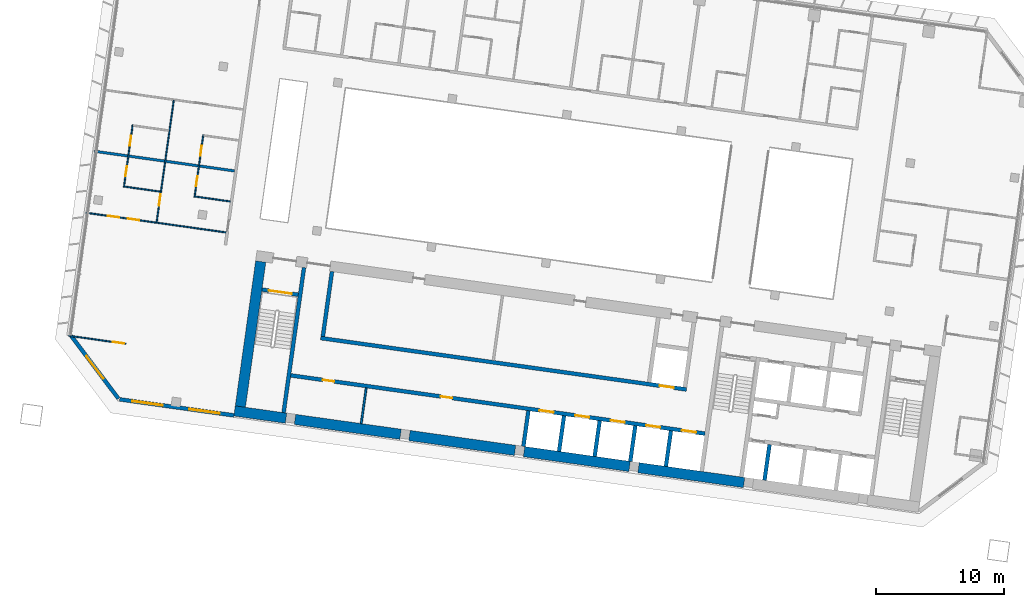
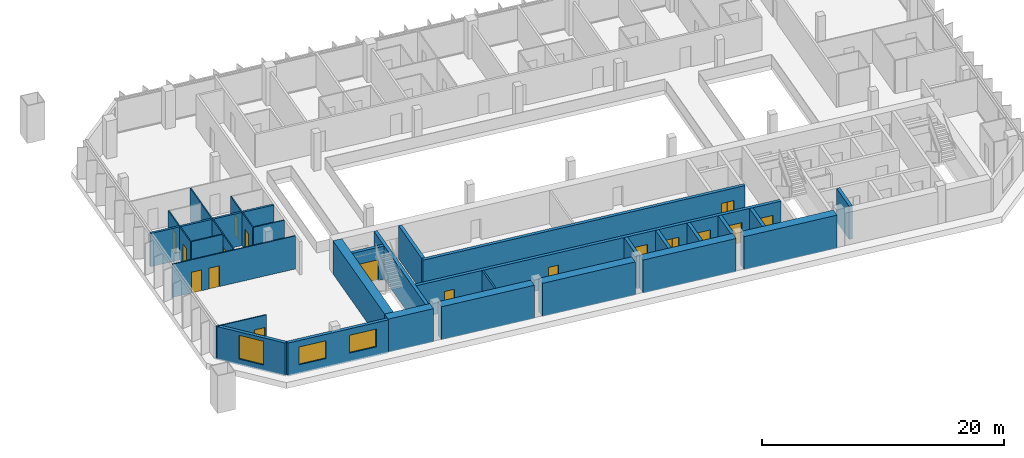
# One storey, part 14 of 24: 28 walls, 17 doors, 3 windows, 20 openings.
"""IFC4 building model written with IfcOpenShell, lengths in metres."""

from ifc_helpers import new_model, si_unit, direction, frame, frame_2d, origin, place, context, subcontext, project, spatial, rectangle, extrude, material, layer, layer_set, type_object, element, fill, save


model = new_model("IFC4")

# Units and contexts
model_context = context("Model", 3, precision=1e-05, world=origin(), true_north=direction((0.0, 1.0)))
body_context = subcontext(model_context, "Body", "Model", "MODEL_VIEW")
ifc_project = project(units=[si_unit("LENGTHUNIT", "METRE"), si_unit("AREAUNIT", "SQUARE_METRE"), si_unit("VOLUMEUNIT", "CUBIC_METRE"), si_unit("PLANEANGLEUNIT", "RADIAN"), si_unit("MASSUNIT", "GRAM", prefix="KILO")], contexts=[model_context])

# Site, building, storey
site_placement = place(None, origin())
site = spatial("IfcSite", under=ifc_project, at=site_placement, CompositionType="ELEMENT")
building_placement = place(site_placement, origin())
building = spatial("IfcBuilding", under=site, at=building_placement, Name="Mirante Cascada Hotel Towers", CompositionType="ELEMENT")
storey_placement = place(building_placement, frame((0.0, 0.0, 110.1)))
storey = spatial("IfcBuildingStorey", under=building, at=storey_placement, Name="L24", CompositionType="ELEMENT", Elevation=110.1)

# Walls
ifc_material_1 = material(Name="Fire-rated plasterboard on metal studs")
ifc_layer_1 = layer(ifc_material_1, 0.2)
ifc_layer_set_1 = layer_set([ifc_layer_1], Name="Compartment wall 200 EI 120")
wall_type_1 = type_object("IfcWallType", Name="Compartment wall 200 EI 120", PredefinedType="PARTITIONING", material=ifc_layer_set_1)
wall_1_placement = place(storey_placement, frame((-90.4064, 6.4896, 0.0), z_axis=(0.0, 0.0, 1.0), x_axis=(-0.990268, 0.1391733, 0.0)))
element("IfcWall", 1, at=wall_1_placement, inside=storey, type_object=wall_type_1, Name="Wall 1-L24-11", PredefinedType="PARTITIONING", context=body_context, shape_type="SweptSolid", body=[
    extrude(rectangle(XDim=11.0, YDim=0.2, at=frame_2d((5.5, 0.0))), origin(), (0.0, 0.0, 1.0), 3.35),
])
ifc_material_2 = material(Name="Masonry block", Category="masonry")
ifc_layer_2 = layer(ifc_material_2, 0.15)
ifc_layer_set_2 = layer_set([ifc_layer_2], Name="Core room partition 150 block EI 30")
wall_type_2 = type_object("IfcWallType", Name="Core room partition 150 block EI 30", PredefinedType="PARTITIONING", material=ifc_layer_set_2)
wall_2_placement = place(storey_placement, frame((-80.547, -13.174, 0.0), z_axis=(0.0, 0.0, 1.0), x_axis=(0.139176, 0.9902677, 0.0)))
element("IfcWall", 2, at=wall_2_placement, inside=storey, type_object=wall_type_2, Name="Core wall partition T1 L24 4", PredefinedType="PARTITIONING", context=body_context, shape_type="SweptSolid", body=[
    extrude(rectangle(XDim=2.8001, YDim=0.15, at=frame_2d((1.4, 0.0))), origin(), (0.0, 0.0, 1.0), 3.35),
])

# Wall, opening, door
ifc_material_3 = material(Name="Plasterboard on metal studs")
ifc_layer_3 = layer(ifc_material_3, 0.1)
ifc_layer_set_3 = layer_set([ifc_layer_3], Name="Partition 100")
wall_type_3 = type_object("IfcWallType", Name="Partition 100", PredefinedType="PARTITIONING", material=ifc_layer_set_3)
wall_3_placement = place(storey_placement, frame((-98.8611, -6.9647, 0.0), z_axis=(0.0, 0.0, 1.0), x_axis=(-0.9902674, 0.1391779, 0.0)))
wall_3 = element("IfcWall", 3, at=wall_3_placement, inside=storey, type_object=wall_type_3, Name="Wall 1-L24-01", PredefinedType="PARTITIONING", context=body_context, shape_type="SweptSolid", body=[
    extrude(rectangle(XDim=4.5, YDim=0.1, at=frame_2d((2.25, 0.0))), origin(), (0.0, 0.0, 1.0), 3.35),
])
opening_1_placement = place(wall_3_placement, frame((0.15, 0.0, 0.0)))
opening_1 = element("IfcOpeningElement", 4, at=opening_1_placement, cuts=wall_3, Name="Opening D1-L24-01", PredefinedType="OPENING", context=body_context, shape_type="SweptSolid", body=[
    extrude(rectangle(XDim=0.9, YDim=2.1, at=frame_2d((0.45, 1.05))), frame((0.0, 0.05, 0.0), z_axis=(0.0, -1.0, 0.0), x_axis=(1.0, 0.0, 0.0)), (0.0, 0.0, 1.0), 0.1),
])
ifc_material_4 = material(Name="Timber door leaf", Category="wood")
door_type_1 = type_object("IfcDoorType", Name="Room door DG3 900x2100", OperationType="SINGLE_SWING_LEFT", PredefinedType="DOOR", material=ifc_material_4)
door_1_placement = place(opening_1_placement, frame((0.9, 0.0, 0.0), z_axis=(0.0, 0.0, 1.0), x_axis=(-1.0, 0.0, 0.0)))
door_1 = element("IfcDoor", 5, at=door_1_placement, inside=storey, type_object=door_type_1, Name="Door D1-L24-01", OperationType="SINGLE_SWING_RIGHT", OverallHeight=2.1, OverallWidth=0.9, PredefinedType="DOOR", context=body_context, shape_type="SweptSolid", body=[
    extrude(rectangle(XDim=0.9, YDim=2.1, at=frame_2d((0.45, 1.05))), frame((0.0, 0.025, 0.0), z_axis=(0.0, -1.0, 0.0), x_axis=(1.0, 0.0, 0.0)), (0.0, 0.0, 1.0), 0.05),
])
fill(opening_1, door_1)

# Wall, openings, doors
wall_4_placement = place(storey_placement, frame((-91.079, 1.7033, 0.0), z_axis=(0.0, 0.0, 1.0), x_axis=(-0.9902682, 0.1391721, 0.0)))
wall_4 = element("IfcWall", 6, at=wall_4_placement, inside=storey, type_object=wall_type_3, Name="Wall 1-L24-05", PredefinedType="PARTITIONING", context=body_context, shape_type="SweptSolid", body=[
    extrude(rectangle(XDim=11.0001, YDim=0.1, at=frame_2d((5.5, 0.0))), origin(), (0.0, 0.0, 1.0), 3.35),
])
opening_2_placement = place(wall_4_placement, frame((6.8, 0.0, 0.0)))
opening_2 = element("IfcOpeningElement", 7, at=opening_2_placement, cuts=wall_4, Name="Opening D1-L24-03", PredefinedType="OPENING", context=body_context, shape_type="SweptSolid", body=[
    extrude(rectangle(XDim=0.9, YDim=2.1, at=frame_2d((0.45, 1.05))), frame((0.0, 0.05, 0.0), z_axis=(0.0, -1.0, 0.0), x_axis=(1.0, 0.0, 0.0)), (0.0, 0.0, 1.0), 0.1),
])
opening_3_placement = place(wall_4_placement, frame((8.375, 0.0, 0.0)))
opening_3 = element("IfcOpeningElement", 8, at=opening_3_placement, cuts=wall_4, Name="Opening D1-L24-04", PredefinedType="OPENING", context=body_context, shape_type="SweptSolid", body=[
    extrude(rectangle(XDim=0.9, YDim=2.1, at=frame_2d((0.45, 1.05))), frame((0.0, 0.05, 0.0), z_axis=(0.0, -1.0, 0.0), x_axis=(1.0, 0.0, 0.0)), (0.0, 0.0, 1.0), 0.1),
])
door_2_placement = place(opening_2_placement, origin())
door_2 = element("IfcDoor", 9, at=door_2_placement, inside=storey, type_object=door_type_1, Name="Door D1-L24-03", OperationType="SINGLE_SWING_LEFT", OverallHeight=2.1, OverallWidth=0.9, PredefinedType="DOOR", context=body_context, shape_type="SweptSolid", body=[
    extrude(rectangle(XDim=0.9, YDim=2.1, at=frame_2d((0.45, 1.05))), frame((0.0, 0.025, 0.0), z_axis=(0.0, -1.0, 0.0), x_axis=(1.0, 0.0, 0.0)), (0.0, 0.0, 1.0), 0.05),
])
fill(opening_2, door_2)
door_3_placement = place(opening_3_placement, origin())
door_3 = element("IfcDoor", 10, at=door_3_placement, inside=storey, type_object=door_type_1, Name="Door D1-L24-04", OperationType="SINGLE_SWING_LEFT", OverallHeight=2.1, OverallWidth=0.9, PredefinedType="DOOR", context=body_context, shape_type="SweptSolid", body=[
    extrude(rectangle(XDim=0.9, YDim=2.1, at=frame_2d((0.45, 1.05))), frame((0.0, 0.025, 0.0), z_axis=(0.0, -1.0, 0.0), x_axis=(1.0, 0.0, 0.0)), (0.0, 0.0, 1.0), 0.05),
])
fill(opening_3, door_3)

# Walls
wall_5_placement = place(storey_placement, frame((-93.4636, 4.4956, 0.0), z_axis=(0.0, 0.0, 1.0), x_axis=(0.9902691, -0.1391657, 0.0)))
element("IfcWall", 11, at=wall_5_placement, inside=storey, type_object=wall_type_3, Name="Wall 1-L24-06", PredefinedType="PARTITIONING", context=body_context, shape_type="SweptSolid", body=[
    extrude(rectangle(XDim=2.75, YDim=0.1, at=frame_2d((1.375, 0.0))), origin(), (0.0, 0.0, 1.0), 3.35),
])
wall_6_placement = place(storey_placement, frame((-96.1868, 4.8784, 0.0), z_axis=(0.0, 0.0, 1.0), x_axis=(-0.9902677, 0.139176, 0.0)))
element("IfcWall", 12, at=wall_6_placement, inside=storey, type_object=wall_type_3, Name="Wall 1-L24-07", PredefinedType="PARTITIONING", context=body_context, shape_type="SweptSolid", body=[
    extrude(rectangle(XDim=2.8001, YDim=0.1, at=frame_2d((1.4, 0.0))), origin(), (0.0, 0.0, 1.0), 3.35),
])

# Wall, openings, doors
wall_7_placement = place(storey_placement, frame((-93.5201, 4.4531, 0.0), z_axis=(0.0, 0.0, 1.0), x_axis=(0.1391838, 0.9902666, 0.0)))
wall_7 = element("IfcWall", 13, at=wall_7_placement, inside=storey, type_object=wall_type_3, Name="Wall 1-L24-61", PredefinedType="PARTITIONING", context=body_context, shape_type="SweptSolid", body=[
    extrude(rectangle(XDim=4.9, YDim=0.1, at=frame_2d((2.45, 0.0))), origin(), (0.0, 0.0, 1.0), 3.35),
])
opening_4_placement = place(wall_7_placement, frame((0.85, 0.0, 0.0)))
opening_4 = element("IfcOpeningElement", 14, at=opening_4_placement, cuts=wall_7, Name="Opening D1-L24-39", PredefinedType="OPENING", context=body_context, shape_type="SweptSolid", body=[
    extrude(rectangle(XDim=0.8, YDim=2.1, at=frame_2d((0.4, 1.05))), frame((0.0, 0.05, 0.0), z_axis=(0.0, -1.0, 0.0), x_axis=(1.0, 0.0, 0.0)), (0.0, 0.0, 1.0), 0.1),
])
opening_5_placement = place(wall_7_placement, frame((3.25, 0.0, 0.0)))
opening_5 = element("IfcOpeningElement", 15, at=opening_5_placement, cuts=wall_7, Name="Opening D1-L24-40", PredefinedType="OPENING", context=body_context, shape_type="SweptSolid", body=[
    extrude(rectangle(XDim=0.8, YDim=2.1, at=frame_2d((0.4, 1.05))), frame((0.0, 0.05, 0.0), z_axis=(0.0, -1.0, 0.0), x_axis=(1.0, 0.0, 0.0)), (0.0, 0.0, 1.0), 0.1),
])
ifc_material_5 = material(Name="Timber door leaf", Category="wood")
door_type_2 = type_object("IfcDoorType", Name="Bathroom door DG4 800x2100", OperationType="SINGLE_SWING_LEFT", PredefinedType="DOOR", material=ifc_material_5)
door_4_placement = place(opening_4_placement, frame((0.8, 0.0, 0.0), z_axis=(0.0, 0.0, 1.0), x_axis=(-1.0, 0.0, 0.0)))
door_4 = element("IfcDoor", 16, at=door_4_placement, inside=storey, type_object=door_type_2, Name="Door D1-L24-39", OperationType="SINGLE_SWING_RIGHT", OverallHeight=2.1, OverallWidth=0.8, PredefinedType="DOOR", context=body_context, shape_type="SweptSolid", body=[
    extrude(rectangle(XDim=0.8, YDim=2.1, at=frame_2d((0.4, 1.05))), frame((0.0, 0.025, 0.0), z_axis=(0.0, -1.0, 0.0), x_axis=(1.0, 0.0, 0.0)), (0.0, 0.0, 1.0), 0.05),
])
fill(opening_4, door_4)
door_5_placement = place(opening_5_placement, frame((0.8, 0.0, 0.0), z_axis=(0.0, 0.0, 1.0), x_axis=(-1.0, 0.0, 0.0)))
door_5 = element("IfcDoor", 17, at=door_5_placement, inside=storey, type_object=door_type_2, Name="Door D1-L24-40", OperationType="SINGLE_SWING_RIGHT", OverallHeight=2.1, OverallWidth=0.8, PredefinedType="DOOR", context=body_context, shape_type="SweptSolid", body=[
    extrude(rectangle(XDim=0.8, YDim=2.1, at=frame_2d((0.4, 1.05))), frame((0.0, 0.025, 0.0), z_axis=(0.0, -1.0, 0.0), x_axis=(1.0, 0.0, 0.0)), (0.0, 0.0, 1.0), 0.05),
])
fill(opening_5, door_5)

# Wall, opening, door
wall_8_placement = place(storey_placement, frame((-95.1376, 11.9848, 0.0), z_axis=(0.0, 0.0, 1.0), x_axis=(-0.1391717, -0.9902683, 0.0)))
wall_8 = element("IfcWall", 18, at=wall_8_placement, inside=storey, type_object=wall_type_3, Name="Wall 1-L24-62", PredefinedType="PARTITIONING", context=body_context, shape_type="SweptSolid", body=[
    extrude(rectangle(XDim=9.5666, YDim=0.1, at=frame_2d((4.7833, 0.0))), origin(), (0.0, 0.0, 1.0), 3.35),
])
opening_6_placement = place(wall_8_placement, frame((7.3666, 0.0, 0.0)))
opening_6 = element("IfcOpeningElement", 19, at=opening_6_placement, cuts=wall_8, Name="Opening D1-L24-41", PredefinedType="OPENING", context=body_context, shape_type="SweptSolid", body=[
    extrude(rectangle(XDim=0.9, YDim=2.1, at=frame_2d((0.45, 1.05))), frame((0.0, 0.05, 0.0), z_axis=(0.0, -1.0, 0.0), x_axis=(1.0, 0.0, 0.0)), (0.0, 0.0, 1.0), 0.1),
])
door_6_placement = place(opening_6_placement, origin())
door_6 = element("IfcDoor", 20, at=door_6_placement, inside=storey, type_object=door_type_1, Name="Door D1-L24-41", OperationType="SINGLE_SWING_LEFT", OverallHeight=2.1, OverallWidth=0.9, PredefinedType="DOOR", context=body_context, shape_type="SweptSolid", body=[
    extrude(rectangle(XDim=0.9, YDim=2.1, at=frame_2d((0.45, 1.05))), frame((0.0, 0.025, 0.0), z_axis=(0.0, -1.0, 0.0), x_axis=(1.0, 0.0, 0.0)), (0.0, 0.0, 1.0), 0.05),
])
fill(opening_6, door_6)

# Wall, openings, doors
wall_9_placement = place(storey_placement, frame((-99.0161, 5.2255, 0.0), z_axis=(0.0, 0.0, 1.0), x_axis=(0.1391838, 0.9902666, 0.0)))
wall_9 = element("IfcWall", 21, at=wall_9_placement, inside=storey, type_object=wall_type_3, Name="Wall 1-L24-63", PredefinedType="PARTITIONING", context=body_context, shape_type="SweptSolid", body=[
    extrude(rectangle(XDim=4.9, YDim=0.1, at=frame_2d((2.45, 0.0))), origin(), (0.0, 0.0, 1.0), 3.35),
])
opening_7_placement = place(wall_9_placement, frame((0.85, 0.0, 0.0)))
opening_7 = element("IfcOpeningElement", 22, at=opening_7_placement, cuts=wall_9, Name="Opening D1-L24-42", PredefinedType="OPENING", context=body_context, shape_type="SweptSolid", body=[
    extrude(rectangle(XDim=0.8, YDim=2.1, at=frame_2d((0.4, 1.05))), frame((0.0, 0.05, 0.0), z_axis=(0.0, -1.0, 0.0), x_axis=(1.0, 0.0, 0.0)), (0.0, 0.0, 1.0), 0.1),
])
opening_8_placement = place(wall_9_placement, frame((3.25, 0.0, 0.0)))
opening_8 = element("IfcOpeningElement", 23, at=opening_8_placement, cuts=wall_9, Name="Opening D1-L24-43", PredefinedType="OPENING", context=body_context, shape_type="SweptSolid", body=[
    extrude(rectangle(XDim=0.8, YDim=2.1, at=frame_2d((0.4, 1.05))), frame((0.0, 0.05, 0.0), z_axis=(0.0, -1.0, 0.0), x_axis=(1.0, 0.0, 0.0)), (0.0, 0.0, 1.0), 0.1),
])
door_7_placement = place(opening_7_placement, frame((0.8, 0.0, 0.0), z_axis=(0.0, 0.0, 1.0), x_axis=(-1.0, 0.0, 0.0)))
door_7 = element("IfcDoor", 24, at=door_7_placement, inside=storey, type_object=door_type_2, Name="Door D1-L24-42", OperationType="SINGLE_SWING_RIGHT", OverallHeight=2.1, OverallWidth=0.8, PredefinedType="DOOR", context=body_context, shape_type="SweptSolid", body=[
    extrude(rectangle(XDim=0.8, YDim=2.1, at=frame_2d((0.4, 1.05))), frame((0.0, 0.025, 0.0), z_axis=(0.0, -1.0, 0.0), x_axis=(1.0, 0.0, 0.0)), (0.0, 0.0, 1.0), 0.05),
])
fill(opening_7, door_7)
door_8_placement = place(opening_8_placement, frame((0.8, 0.0, 0.0), z_axis=(0.0, 0.0, 1.0), x_axis=(-1.0, 0.0, 0.0)))
door_8 = element("IfcDoor", 25, at=door_8_placement, inside=storey, type_object=door_type_2, Name="Door D1-L24-43", OperationType="SINGLE_SWING_RIGHT", OverallHeight=2.1, OverallWidth=0.8, PredefinedType="DOOR", context=body_context, shape_type="SweptSolid", body=[
    extrude(rectangle(XDim=0.8, YDim=2.1, at=frame_2d((0.4, 1.05))), frame((0.0, 0.025, 0.0), z_axis=(0.0, -1.0, 0.0), x_axis=(1.0, 0.0, 0.0)), (0.0, 0.0, 1.0), 0.05),
])
fill(opening_8, door_8)

# Wall, openings, windows
ifc_material_6 = material(Name="Precast concrete C40/50", Category="concrete")
ifc_layer_4 = layer(ifc_material_6, 0.3)
ifc_layer_set_4 = layer_set([ifc_layer_4], Name="Precast concrete C40/50 cladding wall 300")
wall_type_4 = type_object("IfcWallType", Name="Precast concrete C40/50 cladding wall 300", PredefinedType="STANDARD", material=ifc_layer_set_4)
wall_10_placement = place(storey_placement, frame((-90.4551, -12.5388, 0.0), z_axis=(0.0, 0.0, 1.0), x_axis=(-0.990268, 0.1391734, 0.0)))
wall_10 = element("IfcWall", 26, at=wall_10_placement, inside=storey, type_object=wall_type_4, Name="Rear cladding wall T1 L24 1", PredefinedType="STANDARD", context=body_context, shape_type="SweptSolid", body=[
    extrude(rectangle(XDim=8.9759, YDim=0.3, at=frame_2d((4.488, 0.0))), origin(), (0.0, 0.0, 1.0), 3.35),
])
opening_9_placement = place(wall_10_placement, frame((1.1012, 0.0, 0.9)))
opening_9 = element("IfcOpeningElement", 27, at=opening_9_placement, cuts=wall_10, Name="Opening W1-24-01", PredefinedType="OPENING", context=body_context, shape_type="SweptSolid", body=[
    extrude(rectangle(XDim=2.4, YDim=1.8, at=frame_2d((1.2, 0.9))), frame((0.0, 0.15, 0.0), z_axis=(0.0, -1.0, 0.0), x_axis=(1.0, 0.0, 0.0)), (0.0, 0.0, 1.0), 0.3),
])
opening_10_placement = place(wall_10_placement, frame((5.5923, 0.0, 0.9)))
opening_10 = element("IfcOpeningElement", 28, at=opening_10_placement, cuts=wall_10, Name="Opening W1-24-02", PredefinedType="OPENING", context=body_context, shape_type="SweptSolid", body=[
    extrude(rectangle(XDim=2.4, YDim=1.8, at=frame_2d((1.2, 0.9))), frame((0.0, 0.15, 0.0), z_axis=(0.0, -1.0, 0.0), x_axis=(1.0, 0.0, 0.0)), (0.0, 0.0, 1.0), 0.3),
])
ifc_material_7 = material(Name="Aluminium frame with clear double glazing", Category="aluminium")
window_type_1 = type_object("IfcWindowType", Name="Punched window 2400x1800", PartitioningType="DOUBLE_PANEL_VERTICAL", PredefinedType="WINDOW", material=ifc_material_7)
window_1_placement = place(opening_9_placement, origin())
window_1 = element("IfcWindow", 29, at=window_1_placement, inside=storey, type_object=window_type_1, Name="Window W1-24-01", OverallHeight=1.8, OverallWidth=2.4, PartitioningType="SINGLE_PANEL", PredefinedType="WINDOW", context=body_context, shape_type="SweptSolid", body=[
    extrude(rectangle(XDim=2.4, YDim=1.8, at=frame_2d((1.2, 0.9))), frame((0.0, 0.03, 0.0), z_axis=(0.0, -1.0, 0.0), x_axis=(1.0, 0.0, 0.0)), (0.0, 0.0, 1.0), 0.06),
])
fill(opening_9, window_1)
window_2_placement = place(opening_10_placement, origin())
window_2 = element("IfcWindow", 30, at=window_2_placement, inside=storey, type_object=window_type_1, Name="Window W1-24-02", OverallHeight=1.8, OverallWidth=2.4, PartitioningType="SINGLE_PANEL", PredefinedType="WINDOW", context=body_context, shape_type="SweptSolid", body=[
    extrude(rectangle(XDim=2.4, YDim=1.8, at=frame_2d((1.2, 0.9))), frame((0.0, 0.03, 0.0), z_axis=(0.0, -1.0, 0.0), x_axis=(1.0, 0.0, 0.0)), (0.0, 0.0, 1.0), 0.06),
])
fill(opening_10, window_2)

# Wall, opening, window
wall_11_placement = place(storey_placement, frame((-99.4423, -11.2315, 0.0), z_axis=(0.0, 0.0, 1.0), x_axis=(-0.6018141, 0.7986362, 0.0)))
wall_11 = element("IfcWall", 31, at=wall_11_placement, inside=storey, type_object=wall_type_4, Name="Corner cladding wall T1 L24 rear outer", PredefinedType="STANDARD", context=body_context, shape_type="SweptSolid", body=[
    extrude(rectangle(XDim=6.1157, YDim=0.3, at=frame_2d((3.0578, 0.0))), origin(), (0.0, 0.0, 1.0), 3.35),
])
opening_11_placement = place(wall_11_placement, frame((1.9578, 0.0, 0.6)))
opening_11 = element("IfcOpeningElement", 32, at=opening_11_placement, cuts=wall_11, Name="Opening W1-24-03", PredefinedType="OPENING", context=body_context, shape_type="SweptSolid", body=[
    extrude(rectangle(XDim=2.2, YDim=2.4, at=frame_2d((1.1, 1.2))), frame((0.0, 0.15, 0.0), z_axis=(0.0, -1.0, 0.0), x_axis=(1.0, 0.0, 0.0)), (0.0, 0.0, 1.0), 0.3),
])
ifc_material_8 = material(Name="Aluminium frame with clear double glazing", Category="aluminium")
window_type_2 = type_object("IfcWindowType", Name="Corner suite window 2200x2400", PartitioningType="DOUBLE_PANEL_VERTICAL", PredefinedType="WINDOW", material=ifc_material_8)
window_3_placement = place(opening_11_placement, origin())
window_3 = element("IfcWindow", 33, at=window_3_placement, inside=storey, type_object=window_type_2, Name="Window W1-24-03", OverallHeight=2.4, OverallWidth=2.2, PartitioningType="SINGLE_PANEL", PredefinedType="WINDOW", context=body_context, shape_type="SweptSolid", body=[
    extrude(rectangle(XDim=2.2, YDim=2.4, at=frame_2d((1.1, 1.2))), frame((0.0, 0.03, 0.0), z_axis=(0.0, -1.0, 0.0), x_axis=(1.0, 0.0, 0.0)), (0.0, 0.0, 1.0), 0.06),
])
fill(opening_11, window_3)

# Wall
ifc_material_9 = material(Name="Concrete C50/60", Category="concrete")
ifc_layer_5 = layer(ifc_material_9, 0.3)
ifc_layer_set_5 = layer_set([ifc_layer_5], Name="RC core wall 300 C50/60")
wall_type_5 = type_object("IfcWallType", Name="RC core wall 300 C50/60", PredefinedType="SHEAR", material=ifc_layer_set_5)
wall_12_placement = place(storey_placement, frame((-86.5877, -12.325, 0.0), z_axis=(0.0, 0.0, 1.0), x_axis=(0.1391749, 0.9902678, 0.0)))
element("IfcWall", 34, at=wall_12_placement, inside=storey, type_object=wall_type_5, Name="Core wall T1:L24:8", PredefinedType="SHEAR", context=body_context, shape_type="SweptSolid", body=[
    extrude(rectangle(XDim=11.4, YDim=0.3, at=frame_2d((5.7, 0.0))), origin(), (0.0, 0.0, 1.0), 3.35),
])

# Wall, opening, door
wall_13_placement = place(storey_placement, frame((-85.4489, -3.1441, 0.0), z_axis=(0.0, 0.0, 1.0), x_axis=(-0.9902697, 0.1391613, 0.0)))
wall_13 = element("IfcWall", 35, at=wall_13_placement, inside=storey, type_object=wall_type_5, Name="Core wall T1:L24:11", PredefinedType="SHEAR", context=body_context, shape_type="SweptSolid", body=[
    extrude(rectangle(XDim=2.8499, YDim=0.3, at=frame_2d((1.425, 0.0))), origin(), (0.0, 0.0, 1.0), 3.35),
])
opening_12_placement = place(wall_13_placement, frame((0.525, 0.0, 0.0)))
opening_12 = element("IfcOpeningElement", 36, at=opening_12_placement, cuts=wall_13, Name="Opening D1-24-C17", PredefinedType="OPENING", context=body_context, shape_type="SweptSolid", body=[
    extrude(rectangle(XDim=1.8, YDim=2.1, at=frame_2d((0.9, 1.05))), frame((0.0, 0.15, 0.0), z_axis=(0.0, -1.0, 0.0), x_axis=(1.0, 0.0, 0.0)), (0.0, 0.0, 1.0), 0.3),
])
ifc_material_10 = material(Name="Hollow metal fire door leaf")
door_type_3 = type_object("IfcDoorType", Name="Double fire door 1800x2100 FD60", OperationType="DOUBLE_DOOR_SINGLE_SWING", PredefinedType="DOOR", material=ifc_material_10)
door_9_placement = place(opening_12_placement, origin())
door_9 = element("IfcDoor", 37, at=door_9_placement, inside=storey, type_object=door_type_3, Name="Stair door T1 L24 17", OperationType="DOUBLE_DOOR_SINGLE_SWING", OverallHeight=2.1, OverallWidth=1.8, PredefinedType="DOOR", context=body_context, shape_type="SweptSolid", body=[
    extrude(rectangle(XDim=0.895, YDim=2.1, at=frame_2d((0.4475, 1.05))), frame((0.0, 0.025, 0.0), z_axis=(0.0, -1.0, 0.0), x_axis=(1.0, 0.0, 0.0)), (0.0, 0.0, 1.0), 0.05),
    extrude(rectangle(XDim=0.895, YDim=2.1, at=frame_2d((1.3525, 1.05))), frame((0.0, 0.025, 0.0), z_axis=(0.0, -1.0, 0.0), x_axis=(1.0, 0.0, 0.0)), (0.0, 0.0, 1.0), 0.05),
])
fill(opening_12, door_9)

# Wall
wall_14_placement = place(storey_placement, frame((-49.1555, -17.5857, 0.0), z_axis=(0.0, 0.0, 1.0), x_axis=(0.1391459, 0.9902719, 0.0)))
element("IfcWall", 38, at=wall_14_placement, inside=storey, type_object=wall_type_5, Name="Core wall T1:L24:17", PredefinedType="SHEAR", context=body_context, shape_type="SweptSolid", body=[
    extrude(rectangle(XDim=2.7999, YDim=0.3, at=frame_2d((1.4, 0.0))), origin(), (0.0, 0.0, 1.0), 3.35),
])

# Wall, openings, doors
wall_15_placement = place(storey_placement, frame((-53.7953, -13.9547, 0.0), z_axis=(0.0, 0.0, 1.0), x_axis=(-0.990268, 0.1391733, 0.0)))
wall_15 = element("IfcWall", 39, at=wall_15_placement, inside=storey, type_object=wall_type_5, Name="Core wall T1:L24:24", PredefinedType="SHEAR", context=body_context, shape_type="SweptSolid", body=[
    extrude(rectangle(XDim=32.5501, YDim=0.3, at=frame_2d((16.275, 0.0))), origin(), (0.0, 0.0, 1.0), 3.35),
])
opening_13_placement = place(wall_15_placement, frame((0.7, 0.0, 0.0)))
opening_13 = element("IfcOpeningElement", 40, at=opening_13_placement, cuts=wall_15, Name="Opening LD", PredefinedType="OPENING", context=body_context, shape_type="SweptSolid", body=[
    extrude(rectangle(XDim=1.1, YDim=2.1, at=frame_2d((0.55, 1.05))), frame((0.0, 0.15, 0.0), z_axis=(0.0, -1.0, 0.0), x_axis=(1.0, 0.0, 0.0)), (0.0, 0.0, 1.0), 0.3),
])
opening_14_placement = place(wall_15_placement, frame((3.5, 0.0, 0.0)))
opening_14 = element("IfcOpeningElement", 41, at=opening_14_placement, cuts=wall_15, Name="Opening LD", PredefinedType="OPENING", context=body_context, shape_type="SweptSolid", body=[
    extrude(rectangle(XDim=1.1, YDim=2.1, at=frame_2d((0.55, 1.05))), frame((0.0, 0.15, 0.0), z_axis=(0.0, -1.0, 0.0), x_axis=(1.0, 0.0, 0.0)), (0.0, 0.0, 1.0), 0.3),
])
opening_15_placement = place(wall_15_placement, frame((6.3, 0.0, 0.0)))
opening_15 = element("IfcOpeningElement", 42, at=opening_15_placement, cuts=wall_15, Name="Opening LD", PredefinedType="OPENING", context=body_context, shape_type="SweptSolid", body=[
    extrude(rectangle(XDim=1.1, YDim=2.1, at=frame_2d((0.55, 1.05))), frame((0.0, 0.15, 0.0), z_axis=(0.0, -1.0, 0.0), x_axis=(1.0, 0.0, 0.0)), (0.0, 0.0, 1.0), 0.3),
])
opening_16_placement = place(wall_15_placement, frame((9.1, 0.0, 0.0)))
opening_16 = element("IfcOpeningElement", 43, at=opening_16_placement, cuts=wall_15, Name="Opening LD", PredefinedType="OPENING", context=body_context, shape_type="SweptSolid", body=[
    extrude(rectangle(XDim=1.1, YDim=2.1, at=frame_2d((0.55, 1.05))), frame((0.0, 0.15, 0.0), z_axis=(0.0, -1.0, 0.0), x_axis=(1.0, 0.0, 0.0)), (0.0, 0.0, 1.0), 0.3),
])
opening_17_placement = place(wall_15_placement, frame((11.9, 0.0, 0.0)))
opening_17 = element("IfcOpeningElement", 44, at=opening_17_placement, cuts=wall_15, Name="Opening LD", PredefinedType="OPENING", context=body_context, shape_type="SweptSolid", body=[
    extrude(rectangle(XDim=1.1, YDim=2.1, at=frame_2d((0.55, 1.05))), frame((0.0, 0.15, 0.0), z_axis=(0.0, -1.0, 0.0), x_axis=(1.0, 0.0, 0.0)), (0.0, 0.0, 1.0), 0.3),
])
opening_18_placement = place(wall_15_placement, frame((19.85, 0.0, 0.0)))
opening_18 = element("IfcOpeningElement", 45, at=opening_18_placement, cuts=wall_15, Name="Opening D1-24-C25", PredefinedType="OPENING", context=body_context, shape_type="SweptSolid", body=[
    extrude(rectangle(XDim=0.9, YDim=2.1, at=frame_2d((0.45, 1.05))), frame((0.0, 0.15, 0.0), z_axis=(0.0, -1.0, 0.0), x_axis=(1.0, 0.0, 0.0)), (0.0, 0.0, 1.0), 0.3),
])
opening_19_placement = place(wall_15_placement, frame((29.125, 0.0, 0.0)))
opening_19 = element("IfcOpeningElement", 46, at=opening_19_placement, cuts=wall_15, Name="Opening D1-24-C26", PredefinedType="OPENING", context=body_context, shape_type="SweptSolid", body=[
    extrude(rectangle(XDim=0.9, YDim=2.1, at=frame_2d((0.45, 1.05))), frame((0.0, 0.15, 0.0), z_axis=(0.0, -1.0, 0.0), x_axis=(1.0, 0.0, 0.0)), (0.0, 0.0, 1.0), 0.3),
])
ifc_material_11 = material(Name="Hollow metal fire door leaf")
door_type_4 = type_object("IfcDoorType", Name="Fire door 900x2100 FD60", OperationType="NOTDEFINED", PredefinedType="DOOR", material=ifc_material_11)
door_10_placement = place(opening_18_placement, origin())
door_10 = element("IfcDoor", 47, at=door_10_placement, inside=storey, type_object=door_type_4, Name="Room door T1 L24 25", OperationType="SINGLE_SWING_LEFT", OverallHeight=2.1, OverallWidth=0.9, PredefinedType="DOOR", context=body_context, shape_type="SweptSolid", body=[
    extrude(rectangle(XDim=0.9, YDim=2.1, at=frame_2d((0.45, 1.05))), frame((0.0, 0.025, 0.0), z_axis=(0.0, -1.0, 0.0), x_axis=(1.0, 0.0, 0.0)), (0.0, 0.0, 1.0), 0.05),
])
fill(opening_18, door_10)
door_11_placement = place(opening_19_placement, origin())
door_11 = element("IfcDoor", 48, at=door_11_placement, inside=storey, type_object=door_type_4, Name="Room door T1 L24 26", OperationType="SINGLE_SWING_LEFT", OverallHeight=2.1, OverallWidth=0.9, PredefinedType="DOOR", context=body_context, shape_type="SweptSolid", body=[
    extrude(rectangle(XDim=0.9, YDim=2.1, at=frame_2d((0.45, 1.05))), frame((0.0, 0.025, 0.0), z_axis=(0.0, -1.0, 0.0), x_axis=(1.0, 0.0, 0.0)), (0.0, 0.0, 1.0), 0.05),
])
fill(opening_19, door_11)
ifc_material_12 = material(Name="Stainless steel", Category="steel")
door_type_5 = type_object("IfcDoorType", Name="Lift landing door 1100x2100 EI 120", OperationType="DOUBLE_DOOR_SLIDING", PredefinedType="DOOR", material=ifc_material_12)
door_12_placement = place(opening_13_placement, origin())
door_12 = element("IfcDoor", 49, at=door_12_placement, inside=storey, type_object=door_type_5, Name="Lift landing door LR1-1 L24", OperationType="DOUBLE_DOOR_SLIDING", OverallHeight=2.1, OverallWidth=1.1, PredefinedType="DOOR", context=body_context, shape_type="SweptSolid", body=[
    extrude(rectangle(XDim=0.545, YDim=2.1, at=frame_2d((0.2725, 1.05))), frame((0.0, 0.025, 0.0), z_axis=(0.0, -1.0, 0.0), x_axis=(1.0, 0.0, 0.0)), (0.0, 0.0, 1.0), 0.05),
    extrude(rectangle(XDim=0.545, YDim=2.1, at=frame_2d((0.8275, 1.05))), frame((0.0, 0.025, 0.0), z_axis=(0.0, -1.0, 0.0), x_axis=(1.0, 0.0, 0.0)), (0.0, 0.0, 1.0), 0.05),
])
fill(opening_13, door_12)
door_13_placement = place(opening_14_placement, origin())
door_13 = element("IfcDoor", 50, at=door_13_placement, inside=storey, type_object=door_type_5, Name="Lift landing door LR1-2 L24", OperationType="DOUBLE_DOOR_SLIDING", OverallHeight=2.1, OverallWidth=1.1, PredefinedType="DOOR", context=body_context, shape_type="SweptSolid", body=[
    extrude(rectangle(XDim=0.545, YDim=2.1, at=frame_2d((0.2725, 1.05))), frame((0.0, 0.025, 0.0), z_axis=(0.0, -1.0, 0.0), x_axis=(1.0, 0.0, 0.0)), (0.0, 0.0, 1.0), 0.05),
    extrude(rectangle(XDim=0.545, YDim=2.1, at=frame_2d((0.8275, 1.05))), frame((0.0, 0.025, 0.0), z_axis=(0.0, -1.0, 0.0), x_axis=(1.0, 0.0, 0.0)), (0.0, 0.0, 1.0), 0.05),
])
fill(opening_14, door_13)
door_14_placement = place(opening_15_placement, origin())
door_14 = element("IfcDoor", 51, at=door_14_placement, inside=storey, type_object=door_type_5, Name="Lift landing door SV1-1 L24", OperationType="DOUBLE_DOOR_SLIDING", OverallHeight=2.1, OverallWidth=1.1, PredefinedType="DOOR", context=body_context, shape_type="SweptSolid", body=[
    extrude(rectangle(XDim=0.545, YDim=2.1, at=frame_2d((0.2725, 1.05))), frame((0.0, 0.025, 0.0), z_axis=(0.0, -1.0, 0.0), x_axis=(1.0, 0.0, 0.0)), (0.0, 0.0, 1.0), 0.05),
    extrude(rectangle(XDim=0.545, YDim=2.1, at=frame_2d((0.8275, 1.05))), frame((0.0, 0.025, 0.0), z_axis=(0.0, -1.0, 0.0), x_axis=(1.0, 0.0, 0.0)), (0.0, 0.0, 1.0), 0.05),
])
fill(opening_15, door_14)
door_15_placement = place(opening_16_placement, origin())
door_15 = element("IfcDoor", 52, at=door_15_placement, inside=storey, type_object=door_type_5, Name="Lift landing door SV1-2 L24", OperationType="DOUBLE_DOOR_SLIDING", OverallHeight=2.1, OverallWidth=1.1, PredefinedType="DOOR", context=body_context, shape_type="SweptSolid", body=[
    extrude(rectangle(XDim=0.545, YDim=2.1, at=frame_2d((0.2725, 1.05))), frame((0.0, 0.025, 0.0), z_axis=(0.0, -1.0, 0.0), x_axis=(1.0, 0.0, 0.0)), (0.0, 0.0, 1.0), 0.05),
    extrude(rectangle(XDim=0.545, YDim=2.1, at=frame_2d((0.8275, 1.05))), frame((0.0, 0.025, 0.0), z_axis=(0.0, -1.0, 0.0), x_axis=(1.0, 0.0, 0.0)), (0.0, 0.0, 1.0), 0.05),
])
fill(opening_16, door_15)
door_16_placement = place(opening_17_placement, origin())
door_16 = element("IfcDoor", 53, at=door_16_placement, inside=storey, type_object=door_type_5, Name="Lift landing door SV1-3 L24", OperationType="DOUBLE_DOOR_SLIDING", OverallHeight=2.1, OverallWidth=1.1, PredefinedType="DOOR", context=body_context, shape_type="SweptSolid", body=[
    extrude(rectangle(XDim=0.545, YDim=2.1, at=frame_2d((0.2725, 1.05))), frame((0.0, 0.025, 0.0), z_axis=(0.0, -1.0, 0.0), x_axis=(1.0, 0.0, 0.0)), (0.0, 0.0, 1.0), 0.05),
    extrude(rectangle(XDim=0.545, YDim=2.1, at=frame_2d((0.8275, 1.05))), frame((0.0, 0.025, 0.0), z_axis=(0.0, -1.0, 0.0), x_axis=(1.0, 0.0, 0.0)), (0.0, 0.0, 1.0), 0.05),
])
fill(opening_17, door_16)

# Walls
for number, where, z_axis, x_axis, name in (
    (54, (-56.8301, -16.5072, 0.0), (0.0, 0.0, 1.0), (0.139176, 0.9902677, 0.0), "Core wall T1:L24:25"),
    (55, (-59.6029, -16.1175, 0.0), (0.0, 0.0, 1.0), (0.139176, 0.9902677, 0.0), "Core wall T1:L24:26"),
    (56, (-62.3756, -15.7278, 0.0), (0.0, 0.0, 1.0), (0.139176, 0.9902677, 0.0), "Core wall T1:L24:27"),
    (57, (-65.1484, -15.3381, 0.0), (0.0, 0.0, 1.0), (0.139176, 0.9902677, 0.0), "Core wall T1:L24:28"),
):
    element("IfcWall", number, at=place(storey_placement, frame(where, z_axis=z_axis, x_axis=x_axis)), inside=storey, type_object=wall_type_5, Name=name, PredefinedType="SHEAR", context=body_context, shape_type="SweptSolid", body=[
        extrude(rectangle(XDim=2.8001, YDim=0.3, at=frame_2d((1.4, 0.0))), origin(), (0.0, 0.0, 1.0), 3.35),
    ])
wall_16_placement = place(storey_placement, frame((-67.9211, -14.9484, 0.0), z_axis=(0.0, 0.0, 1.0), x_axis=(0.139181, 0.990267, 0.0)))
element("IfcWall", 58, at=wall_16_placement, inside=storey, type_object=wall_type_5, Name="Core wall T1:L24:29", PredefinedType="SHEAR", context=body_context, shape_type="SweptSolid", body=[
    extrude(rectangle(XDim=2.8, YDim=0.3, at=frame_2d((1.4, 0.0))), origin(), (0.0, 0.0, 1.0), 3.35),
])

# Wall, opening, door
wall_17_placement = place(storey_placement, frame((-55.2315, -10.5214, 0.0), z_axis=(0.0, 0.0, 1.0), x_axis=(-0.9902682, 0.1391722, 0.0)))
wall_17 = element("IfcWall", 59, at=wall_17_placement, inside=storey, type_object=wall_type_5, Name="Core wall T1:L24:31", PredefinedType="SHEAR", context=body_context, shape_type="SweptSolid", body=[
    extrude(rectangle(XDim=28.75, YDim=0.3, at=frame_2d((14.375, 0.0))), origin(), (0.0, 0.0, 1.0), 3.35),
])
opening_20_placement = place(wall_17_placement, frame((1.0, 0.0, 0.0)))
opening_20 = element("IfcOpeningElement", 60, at=opening_20_placement, cuts=wall_17, Name="Opening LD", PredefinedType="OPENING", context=body_context, shape_type="SweptSolid", body=[
    extrude(rectangle(XDim=1.1, YDim=2.1, at=frame_2d((0.55, 1.05))), frame((0.0, 0.15, 0.0), z_axis=(0.0, -1.0, 0.0), x_axis=(1.0, 0.0, 0.0)), (0.0, 0.0, 1.0), 0.3),
])
door_17_placement = place(opening_20_placement, origin())
door_17 = element("IfcDoor", 61, at=door_17_placement, inside=storey, type_object=door_type_5, Name="Lift landing door LR1-3 L24", OperationType="DOUBLE_DOOR_SLIDING", OverallHeight=2.1, OverallWidth=1.1, PredefinedType="DOOR", context=body_context, shape_type="SweptSolid", body=[
    extrude(rectangle(XDim=0.545, YDim=2.1, at=frame_2d((0.2725, 1.05))), frame((0.0, 0.025, 0.0), z_axis=(0.0, -1.0, 0.0), x_axis=(1.0, 0.0, 0.0)), (0.0, 0.0, 1.0), 0.05),
    extrude(rectangle(XDim=0.545, YDim=2.1, at=frame_2d((0.8275, 1.05))), frame((0.0, 0.025, 0.0), z_axis=(0.0, -1.0, 0.0), x_axis=(1.0, 0.0, 0.0)), (0.0, 0.0, 1.0), 0.05),
])
fill(opening_20, door_17)

# Walls
wall_18_placement = place(storey_placement, frame((-83.5323, -6.3925, 0.0), z_axis=(0.0, 0.0, 1.0), x_axis=(0.1391755, 0.9902677, 0.0)))
element("IfcWall", 62, at=wall_18_placement, inside=storey, type_object=wall_type_5, Name="Core wall T1:L24:33", PredefinedType="SHEAR", context=body_context, shape_type="SweptSolid", body=[
    extrude(rectangle(XDim=5.1, YDim=0.3, at=frame_2d((2.55, 0.0))), origin(), (0.0, 0.0, 1.0), 3.35),
])
ifc_material_13 = material(Name="Concrete C50/60", Category="concrete")
ifc_layer_6 = layer(ifc_material_13, 0.8)
ifc_layer_set_6 = layer_set([ifc_layer_6], Name="RC core wall 800 C50/60")
wall_type_6 = type_object("IfcWallType", Name="RC core wall 800 C50/60", PredefinedType="SHEAR", material=ifc_layer_set_6)
wall_19_placement = place(storey_placement, frame((-50.7461, -17.7661, 0.0), z_axis=(0.0, 0.0, 1.0), x_axis=(-0.9902686, 0.1391692, 0.0)))
element("IfcWall", 63, at=wall_19_placement, inside=storey, type_object=wall_type_6, Name="Core wall T1:L24:1.3", PredefinedType="SHEAR", context=body_context, shape_type="SweptSolid", body=[
    extrude(rectangle(XDim=8.3, YDim=0.8, at=frame_2d((4.15, 0.0))), origin(), (0.0, 0.0, 1.0), 3.35),
])
for number, where, z_axis, x_axis, name in (
    (64, (-59.6585, -16.5136, 0.0), (0.0, 0.0, 1.0), (-0.9902672, 0.1391793, 0.0), "Core wall T1:L24:1.4"),
    (65, (-68.5709, -15.261, 0.0), (0.0, 0.0, 1.0), (-0.9902689, 0.1391675, 0.0), "Core wall T1:L24:1.5"),
):
    element("IfcWall", number, at=place(storey_placement, frame(where, z_axis=z_axis, x_axis=x_axis)), inside=storey, type_object=wall_type_6, Name=name, PredefinedType="SHEAR", context=body_context, shape_type="SweptSolid", body=[
        extrude(rectangle(XDim=8.3001, YDim=0.8, at=frame_2d((4.15, 0.0))), origin(), (0.0, 0.0, 1.0), 3.35),
    ])
wall_20_placement = place(storey_placement, frame((-77.4834, -14.0085, 0.0), z_axis=(0.0, 0.0, 1.0), x_axis=(-0.990267, 0.139181, 0.0)))
element("IfcWall", 66, at=wall_20_placement, inside=storey, type_object=wall_type_6, Name="Core wall T1:L24:1.6", PredefinedType="SHEAR", context=body_context, shape_type="SweptSolid", body=[
    extrude(rectangle(XDim=8.3, YDim=0.8, at=frame_2d((4.15, 0.0))), origin(), (0.0, 0.0, 1.0), 3.35),
])
wall_21_placement = place(storey_placement, frame((-86.3958, -12.7559, 0.0), z_axis=(0.0, 0.0, 1.0), x_axis=(-0.9902665, 0.1391845, 0.0)))
element("IfcWall", 67, at=wall_21_placement, inside=storey, type_object=wall_type_6, Name="Core wall T1:L24:1.7", PredefinedType="SHEAR", context=body_context, shape_type="SweptSolid", body=[
    extrude(rectangle(XDim=4.05, YDim=0.8, at=frame_2d((2.025, 0.0))), origin(), (0.0, 0.0, 1.0), 3.35),
])
wall_22_placement = place(storey_placement, frame((-89.9546, -11.8518, 0.0), z_axis=(0.0, 0.0, 1.0), x_axis=(0.1391761, 0.9902677, 0.0)))
element("IfcWall", 68, at=wall_22_placement, inside=storey, type_object=wall_type_6, Name="Core wall T1:L24:4", PredefinedType="SHEAR", context=body_context, shape_type="SweptSolid", body=[
    extrude(rectangle(XDim=11.3999, YDim=0.8, at=frame_2d((5.7, 0.0))), origin(), (0.0, 0.0, 1.0), 3.35),
])

save(model, "model.ifc")
